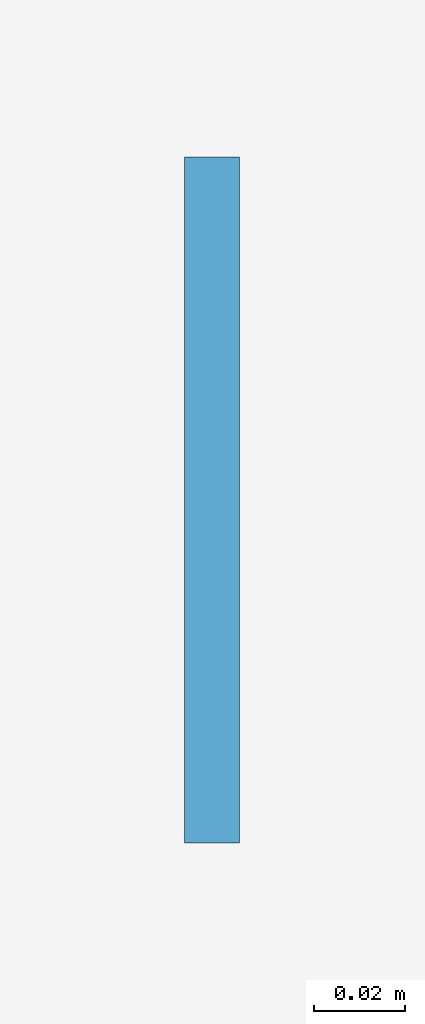
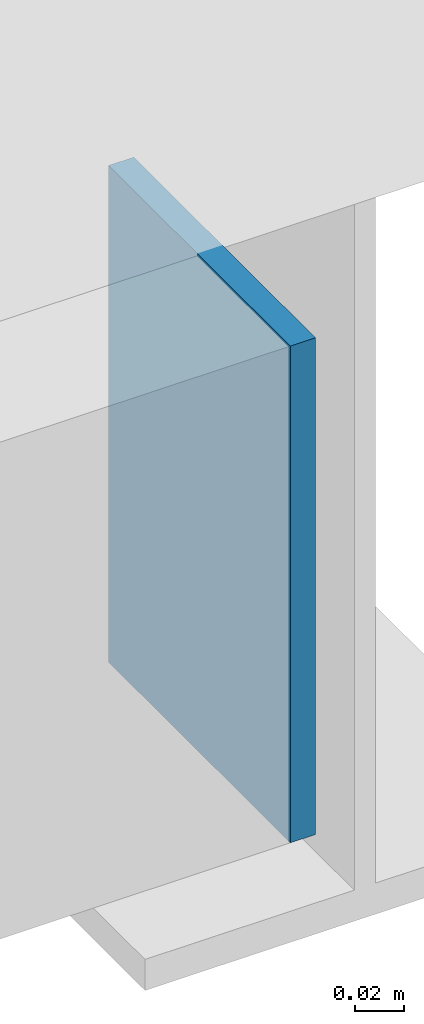
# One storey, part 115 of 136: 1 discrete accessory.
"""IFC4 building model written with IfcOpenShell, lengths in metres."""

from ifc_helpers import new_model, si_unit, direction, frame, origin, place, context, subcontext, project, spatial, polyline, outline, extrude, material, layer, layer_set, type_object, element, save


model = new_model("IFC4")

# Units and contexts
model_context = context("Model", 3, precision=1e-05, world=origin(), true_north=direction((0.0, 1.0)))
body_context = subcontext(model_context, "Body", "Model", "MODEL_VIEW")
ifc_project = project(units=[si_unit("LENGTHUNIT", "METRE"), si_unit("AREAUNIT", "SQUARE_METRE"), si_unit("VOLUMEUNIT", "CUBIC_METRE"), si_unit("PLANEANGLEUNIT", "RADIAN"), si_unit("MASSUNIT", "GRAM", prefix="KILO")], contexts=[model_context])

# Site, building, storey
site_placement = place(None, origin())
site = spatial("IfcSite", under=ifc_project, at=site_placement, CompositionType="ELEMENT")
building_placement = place(site_placement, origin())
building = spatial("IfcBuilding", under=site, at=building_placement, Name="Kisiwana Market Hall", CompositionType="ELEMENT")
storey_placement = place(building_placement, frame((0.0, 0.0, 16.800048828125)))
storey = spatial("IfcBuildingStorey", under=building, at=storey_placement, Name="L03", CompositionType="ELEMENT", Elevation=16.800048828125)

# Discrete accessory
ifc_material = material(Name="Steel S355", Category="steel")
ifc_layer = layer(ifc_material, 0.011962890625)
ifc_layer_set = layer_set([ifc_layer], Name="ACC-ENDCAP-STL")
discrete_accessory_type = type_object("IfcDiscreteAccessoryType", Name="ACC-ENDCAP-STL", PredefinedType="USERDEFINED", material=ifc_layer_set)
discrete_accessory_placement = place(storey_placement, frame((0.0, 0.0, -0.5)))
element("IfcDiscreteAccessory", 1, at=discrete_accessory_placement, inside=storey, type_object=discrete_accessory_type, Name="End cap plate EC-0045", ObjectType="End cap plate", PredefinedType="USERDEFINED", context=body_context, shape_type="SweptSolid", body=[
    extrude(outline(polyline([(116.798095703125, 83.925048828125), (116.81005859375, 83.925048828125), (116.81005859375, 84.074951171875), (116.798095703125, 84.074951171875), (116.798095703125, 83.925048828125)])), origin(), (0.0, 0.0, 1.0), 0.25),
])

save(model, "model.ifc")
